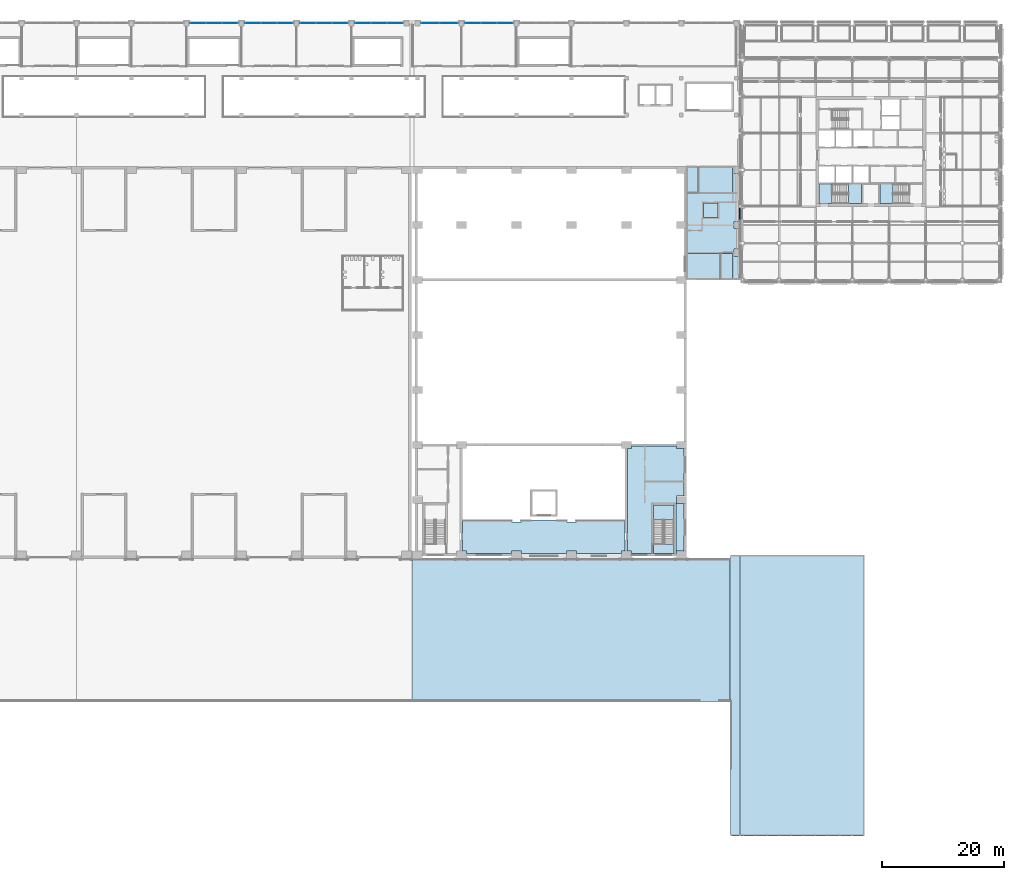
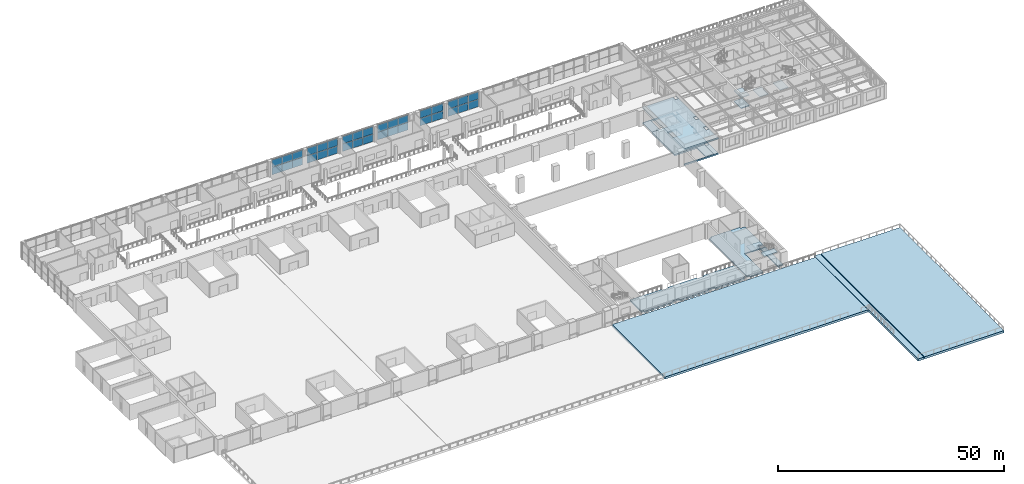
# One storey, part 12 of 39: 35 plates, 15 slabs, 9 elements without a shape of their own.
"""IFC4 building model written with IfcOpenShell, lengths in metres."""

from ifc_helpers import new_model, si_unit, direction, frame, origin, origin_2d, place, context, subcontext, project, spatial, polyline, rectangle, outline, extrude, material, layer, layer_set, type_object, element, aggregate, save


model = new_model("IFC4")

# Units and contexts
model_context = context("Model", 3, precision=1e-05, world=origin(), true_north=direction((0.0, 1.0)))
body_context = subcontext(model_context, "Body", "Model", "MODEL_VIEW")
ifc_project = project(units=[si_unit("LENGTHUNIT", "METRE"), si_unit("AREAUNIT", "SQUARE_METRE"), si_unit("VOLUMEUNIT", "CUBIC_METRE"), si_unit("PLANEANGLEUNIT", "RADIAN"), si_unit("MASSUNIT", "GRAM", prefix="KILO")], contexts=[model_context])

# Site, building, storey
site_placement = place(None, origin())
site = spatial("IfcSite", under=ifc_project, at=site_placement, CompositionType="ELEMENT")
building_placement = place(site_placement, origin())
building = spatial("IfcBuilding", under=site, at=building_placement, Name="Aravalli Gate Trade Fair Centre", CompositionType="ELEMENT")
storey_placement = place(building_placement, frame((0.0, 0.0, 15.0)))
storey = spatial("IfcBuildingStorey", under=building, at=storey_placement, Name="L03", CompositionType="ELEMENT", Elevation=15.0)

# Slab
ifc_material_1 = material(Name="Concrete M40", Category="concrete")
ifc_layer_1 = layer(ifc_material_1, 0.39990234375)
ifc_layer_set_1 = layer_set([ifc_layer_1], Name="Concrete M40")
slab_type_1 = type_object("IfcSlabType", Name="Congress balcony slab RC 400", PredefinedType="FLOOR", material=ifc_layer_set_1)
slab_1_placement = place(storey_placement, frame((0.0, 0.0, -0.39990234375)))
element("IfcSlab", 1, at=slab_1_placement, inside=storey, type_object=slab_type_1, Name="Scenery loading gallery floor", PredefinedType="FLOOR", context=body_context, shape_type="SweptSolid", body=[
    extrude(outline(polyline([(140.800048828125, 51.699951171875), (140.800048828125, 46.60009765625), (140.199951171875, 46.60009765625), (140.199951171875, 46.199951171875), (132.800048828125, 46.199951171875), (132.800048828125, 46.60009765625), (131.199951171875, 46.60009765625), (131.199951171875, 46.199951171875), (123.800048828125, 46.199951171875), (123.800048828125, 46.60009765625), (122.199951171875, 46.60009765625), (122.199951171875, 46.199951171875), (114.800048828125, 46.199951171875), (114.800048828125, 46.60009765625), (114.199951171875, 46.60009765625), (114.199951171875, 51.699951171875), (122.199951171875, 51.699951171875), (122.199951171875, 51.39990234375), (123.800048828125, 51.39990234375), (123.800048828125, 51.699951171875), (131.199951171875, 51.699951171875), (131.199951171875, 51.39990234375), (132.800048828125, 51.39990234375), (132.800048828125, 51.699951171875), (140.800048828125, 51.699951171875)])), origin(), (0.0, 0.0, 1.0), 0.39990234375),
])

# Stair, slabs
ifc_material_2 = material(Name="Concrete M45", Category="concrete")
stair_type_1 = type_object("IfcStairType", Name="Congress exit stair", PredefinedType="HALF_TURN_STAIR", material=ifc_material_2)
stair_1_placement = place(storey_placement, origin())
stair_1 = element("IfcStair", 2, at=stair_1_placement, inside=storey, type_object=stair_type_1, Name="Stage Stair East L03", PredefinedType="HALF_TURN_STAIR")
ifc_layer_2 = layer(ifc_material_2, 0.199951171875)
ifc_layer_set_2 = layer_set([ifc_layer_2], Name="Concrete M45")
slab_type_2 = type_object("IfcSlabType", Name="Congress exit stair landing RC 200", PredefinedType="LANDING", material=ifc_layer_set_2)
slab_2_placement = place(storey_placement, frame((0.0, 0.0, 1.89990234375)))
slab_2 = element("IfcSlab", 3, at=slab_2_placement, type_object=slab_type_2, Name="GX2 landing 1", PredefinedType="LANDING", context=body_context, shape_type="SweptSolid", body=[
    extrude(outline(polyline([(145.39990234375, 51.699951171875), (148.800048828125, 51.699951171875), (148.800048828125, 54.199951171875), (145.39990234375, 54.199951171875), (145.39990234375, 51.699951171875)])), origin(), (0.0, 0.0, 1.0), 0.2001953125),
])
slab_3_placement = place(storey_placement, frame((0.0, 0.0, 4.0)))
slab_3 = element("IfcSlab", 4, at=slab_3_placement, type_object=slab_type_2, Name="GX2 landing 2", PredefinedType="LANDING", context=body_context, shape_type="SweptSolid", body=[
    extrude(outline(polyline([(145.39990234375, 46.199951171875), (148.800048828125, 46.199951171875), (148.800048828125, 47.800048828125), (145.39990234375, 47.800048828125), (145.39990234375, 46.199951171875)])), origin(), (0.0, 0.0, 1.0), 0.199951171875),
])
aggregate(stair_1, [slab_2, slab_3])

# Slab
ifc_layer_3 = layer(ifc_material_1, 0.300048828125)
ifc_layer_set_3 = layer_set([ifc_layer_3], Name="Concrete M40")
slab_type_3 = type_object("IfcSlabType", Name="Congress floor slab RC 300", PredefinedType="FLOOR", material=ifc_layer_set_3)
slab_4_placement = place(storey_placement, frame((0.0, 0.0, -0.300048828125)))
element("IfcSlab", 5, at=slab_4_placement, inside=storey, type_object=slab_type_3, Name="Stage wing floor L03 E", PredefinedType="FLOOR", context=body_context, shape_type="SweptSolid", body=[
    extrude(outline(polyline([(149.199951171875, 46.60009765625), (149.199951171875, 46.199951171875), (149.10009765625, 46.199951171875), (149.10009765625, 54.5), (145.10009765625, 54.5), (145.10009765625, 46.199951171875), (141.800048828125, 46.199951171875), (141.800048828125, 46.60009765625), (141.199951171875, 46.60009765625), (141.199951171875, 63.39990234375), (141.800048828125, 63.39990234375), (141.800048828125, 63.800048828125), (149.199951171875, 63.800048828125), (149.199951171875, 63.39990234375), (150.39990234375, 63.39990234375), (150.39990234375, 55.60009765625), (149.199951171875, 55.60009765625), (149.199951171875, 54.39990234375), (150.39990234375, 54.39990234375), (150.39990234375, 46.60009765625), (149.199951171875, 46.60009765625)])), origin(), (0.0, 0.0, 1.0), 0.300048828125),
])

# Curtain wall, plates
ifc_material_3 = material(Name="Aluminium and glass", Category="aluminium")
curtain_wall_type = type_object("IfcCurtainWallType", Name="Curtain wall 3000 module, tall", PredefinedType="NOTDEFINED", material=ifc_material_3)
curtain_wall_1_placement = place(storey_placement, origin())
curtain_wall_1 = element("IfcCurtainWall", 6, at=curtain_wall_1_placement, inside=storey, type_object=curtain_wall_type, Name="Curtain wall north bay 8 L03", PredefinedType="NOTDEFINED")
ifc_material_4 = material(Name="Glass, double glazed", Category="glass")
ifc_layer_4 = layer(ifc_material_4, 0.028076171875)
ifc_layer_set_4 = layer_set([ifc_layer_4], Name="Glass, double glazed")
plate_type_1 = type_object("IfcPlateType", Name="Curtain wall panel, double glazed 28", PredefinedType="CURTAIN_PANEL", material=ifc_layer_set_4)
plate_1_placement = place(storey_placement, frame((70.881591796875, 133.044921875, 0.06005859375), z_axis=(0.0, 0.0, 1.0), x_axis=(1.0, 0.0, 0.0)))
plate_1 = element("IfcPlate", 7, at=plate_1_placement, type_object=plate_type_1, Name="CW3 panel 1.1", PredefinedType="CURTAIN_PANEL", context=body_context, shape_type="SweptSolid", body=[
    extrude(rectangle(XDim=2.543212890625, YDim=0.028076171875, at=origin_2d()), origin(), (0.0, 0.0, 1.0), 2.010009765625),
])
plate_2_placement = place(storey_placement, frame((70.881591796875, 133.044921875, 2.1298828125), z_axis=(0.0, 0.0, 1.0), x_axis=(1.0, 0.0, 0.0)))
plate_2 = element("IfcPlate", 8, at=plate_2_placement, type_object=plate_type_1, Name="CW3 panel 1.2", PredefinedType="CURTAIN_PANEL", context=body_context, shape_type="SweptSolid", body=[
    extrude(rectangle(XDim=2.543212890625, YDim=0.028076171875, at=origin_2d()), origin(), (0.0, 0.0, 1.0), 2.010009765625),
])
plate_3_placement = place(storey_placement, frame((73.5, 133.044921875, 0.06005859375), z_axis=(0.0, 0.0, 1.0), x_axis=(1.0, 0.0, 0.0)))
plate_3 = element("IfcPlate", 9, at=plate_3_placement, type_object=plate_type_1, Name="CW3 panel 2.1", PredefinedType="CURTAIN_PANEL", context=body_context, shape_type="SweptSolid", body=[
    extrude(rectangle(XDim=2.5732421875, YDim=0.028076171875, at=origin_2d()), origin(), (0.0, 0.0, 1.0), 2.010009765625),
])
plate_4_placement = place(storey_placement, frame((73.5, 133.044921875, 2.1298828125), z_axis=(0.0, 0.0, 1.0), x_axis=(1.0, 0.0, 0.0)))
plate_4 = element("IfcPlate", 10, at=plate_4_placement, type_object=plate_type_1, Name="CW3 panel 2.2", PredefinedType="CURTAIN_PANEL", context=body_context, shape_type="SweptSolid", body=[
    extrude(rectangle(XDim=2.5732421875, YDim=0.028076171875, at=origin_2d()), origin(), (0.0, 0.0, 1.0), 2.010009765625),
])
plate_5_placement = place(storey_placement, frame((76.118408203125, 133.044921875, 0.06005859375), z_axis=(0.0, 0.0, 1.0), x_axis=(1.0, 0.0, 0.0)))
plate_5 = element("IfcPlate", 11, at=plate_5_placement, type_object=plate_type_1, Name="CW3 panel 3.1", PredefinedType="CURTAIN_PANEL", context=body_context, shape_type="SweptSolid", body=[
    extrude(rectangle(XDim=2.543212890625, YDim=0.028076171875, at=origin_2d()), origin(), (0.0, 0.0, 1.0), 2.010009765625),
])
plate_6_placement = place(storey_placement, frame((76.118408203125, 133.044921875, 2.1298828125), z_axis=(0.0, 0.0, 1.0), x_axis=(1.0, 0.0, 0.0)))
plate_6 = element("IfcPlate", 12, at=plate_6_placement, type_object=plate_type_1, Name="CW3 panel 3.2", PredefinedType="CURTAIN_PANEL", context=body_context, shape_type="SweptSolid", body=[
    extrude(rectangle(XDim=2.543212890625, YDim=0.028076171875, at=origin_2d()), origin(), (0.0, 0.0, 1.0), 2.010009765625),
])
aggregate(curtain_wall_1, [plate_1, plate_2, plate_3, plate_4, plate_5, plate_6])

curtain_wall_2_placement = place(storey_placement, origin())
curtain_wall_2 = element("IfcCurtainWall", 13, at=curtain_wall_2_placement, inside=storey, type_object=curtain_wall_type, Name="Curtain wall north bay 9 L03", PredefinedType="NOTDEFINED")
plate_7_placement = place(storey_placement, frame((79.881591796875, 133.044921875, 0.06005859375), z_axis=(0.0, 0.0, 1.0), x_axis=(1.0, 0.0, 0.0)))
plate_7 = element("IfcPlate", 14, at=plate_7_placement, type_object=plate_type_1, Name="CW3 panel 1.1", PredefinedType="CURTAIN_PANEL", context=body_context, shape_type="SweptSolid", body=[
    extrude(rectangle(XDim=2.543212890625, YDim=0.028076171875, at=origin_2d()), origin(), (0.0, 0.0, 1.0), 2.010009765625),
])
plate_8_placement = place(storey_placement, frame((79.881591796875, 133.044921875, 2.1298828125), z_axis=(0.0, 0.0, 1.0), x_axis=(1.0, 0.0, 0.0)))
plate_8 = element("IfcPlate", 15, at=plate_8_placement, type_object=plate_type_1, Name="CW3 panel 1.2", PredefinedType="CURTAIN_PANEL", context=body_context, shape_type="SweptSolid", body=[
    extrude(rectangle(XDim=2.543212890625, YDim=0.028076171875, at=origin_2d()), origin(), (0.0, 0.0, 1.0), 2.010009765625),
])
plate_9_placement = place(storey_placement, frame((82.5, 133.044921875, 0.06005859375), z_axis=(0.0, 0.0, 1.0), x_axis=(1.0, 0.0, 0.0)))
plate_9 = element("IfcPlate", 16, at=plate_9_placement, type_object=plate_type_1, Name="CW3 panel 2.1", PredefinedType="CURTAIN_PANEL", context=body_context, shape_type="SweptSolid", body=[
    extrude(rectangle(XDim=2.5732421875, YDim=0.028076171875, at=origin_2d()), origin(), (0.0, 0.0, 1.0), 2.010009765625),
])
plate_10_placement = place(storey_placement, frame((82.5, 133.044921875, 2.1298828125), z_axis=(0.0, 0.0, 1.0), x_axis=(1.0, 0.0, 0.0)))
plate_10 = element("IfcPlate", 17, at=plate_10_placement, type_object=plate_type_1, Name="CW3 panel 2.2", PredefinedType="CURTAIN_PANEL", context=body_context, shape_type="SweptSolid", body=[
    extrude(rectangle(XDim=2.5732421875, YDim=0.028076171875, at=origin_2d()), origin(), (0.0, 0.0, 1.0), 2.010009765625),
])
plate_11_placement = place(storey_placement, frame((85.118408203125, 133.044921875, 0.06005859375), z_axis=(0.0, 0.0, 1.0), x_axis=(1.0, 0.0, 0.0)))
plate_11 = element("IfcPlate", 18, at=plate_11_placement, type_object=plate_type_1, Name="CW3 panel 3.1", PredefinedType="CURTAIN_PANEL", context=body_context, shape_type="SweptSolid", body=[
    extrude(rectangle(XDim=2.543212890625, YDim=0.028076171875, at=origin_2d()), origin(), (0.0, 0.0, 1.0), 2.010009765625),
])
plate_12_placement = place(storey_placement, frame((85.118408203125, 133.044921875, 2.1298828125), z_axis=(0.0, 0.0, 1.0), x_axis=(1.0, 0.0, 0.0)))
plate_12 = element("IfcPlate", 19, at=plate_12_placement, type_object=plate_type_1, Name="CW3 panel 3.2", PredefinedType="CURTAIN_PANEL", context=body_context, shape_type="SweptSolid", body=[
    extrude(rectangle(XDim=2.543212890625, YDim=0.028076171875, at=origin_2d()), origin(), (0.0, 0.0, 1.0), 2.010009765625),
])
aggregate(curtain_wall_2, [plate_7, plate_8, plate_9, plate_10, plate_11, plate_12])

curtain_wall_3_placement = place(storey_placement, origin())
curtain_wall_3 = element("IfcCurtainWall", 20, at=curtain_wall_3_placement, inside=storey, type_object=curtain_wall_type, Name="Curtain wall north bay 10 L03", PredefinedType="NOTDEFINED")
plate_13_placement = place(storey_placement, frame((88.881591796875, 133.044921875, 0.06005859375), z_axis=(0.0, 0.0, 1.0), x_axis=(1.0, 0.0, 0.0)))
plate_13 = element("IfcPlate", 21, at=plate_13_placement, type_object=plate_type_1, Name="CW3 panel 1.1", PredefinedType="CURTAIN_PANEL", context=body_context, shape_type="SweptSolid", body=[
    extrude(rectangle(XDim=2.543212890625, YDim=0.028076171875, at=origin_2d()), origin(), (0.0, 0.0, 1.0), 2.010009765625),
])
plate_14_placement = place(storey_placement, frame((88.881591796875, 133.044921875, 2.1298828125), z_axis=(0.0, 0.0, 1.0), x_axis=(1.0, 0.0, 0.0)))
plate_14 = element("IfcPlate", 22, at=plate_14_placement, type_object=plate_type_1, Name="CW3 panel 1.2", PredefinedType="CURTAIN_PANEL", context=body_context, shape_type="SweptSolid", body=[
    extrude(rectangle(XDim=2.543212890625, YDim=0.028076171875, at=origin_2d()), origin(), (0.0, 0.0, 1.0), 2.010009765625),
])
plate_15_placement = place(storey_placement, frame((91.5, 133.044921875, 0.06005859375), z_axis=(0.0, 0.0, 1.0), x_axis=(1.0, 0.0, 0.0)))
plate_15 = element("IfcPlate", 23, at=plate_15_placement, type_object=plate_type_1, Name="CW3 panel 2.1", PredefinedType="CURTAIN_PANEL", context=body_context, shape_type="SweptSolid", body=[
    extrude(rectangle(XDim=2.5732421875, YDim=0.028076171875, at=origin_2d()), origin(), (0.0, 0.0, 1.0), 2.010009765625),
])
plate_16_placement = place(storey_placement, frame((91.5, 133.044921875, 2.1298828125), z_axis=(0.0, 0.0, 1.0), x_axis=(1.0, 0.0, 0.0)))
plate_16 = element("IfcPlate", 24, at=plate_16_placement, type_object=plate_type_1, Name="CW3 panel 2.2", PredefinedType="CURTAIN_PANEL", context=body_context, shape_type="SweptSolid", body=[
    extrude(rectangle(XDim=2.5732421875, YDim=0.028076171875, at=origin_2d()), origin(), (0.0, 0.0, 1.0), 2.010009765625),
])
plate_17_placement = place(storey_placement, frame((94.118408203125, 133.044921875, 0.06005859375), z_axis=(0.0, 0.0, 1.0), x_axis=(1.0, 0.0, 0.0)))
plate_17 = element("IfcPlate", 25, at=plate_17_placement, type_object=plate_type_1, Name="CW3 panel 3.1", PredefinedType="CURTAIN_PANEL", context=body_context, shape_type="SweptSolid", body=[
    extrude(rectangle(XDim=2.543212890625, YDim=0.028076171875, at=origin_2d()), origin(), (0.0, 0.0, 1.0), 2.010009765625),
])
plate_18_placement = place(storey_placement, frame((94.118408203125, 133.044921875, 2.1298828125), z_axis=(0.0, 0.0, 1.0), x_axis=(1.0, 0.0, 0.0)))
plate_18 = element("IfcPlate", 26, at=plate_18_placement, type_object=plate_type_1, Name="CW3 panel 3.2", PredefinedType="CURTAIN_PANEL", context=body_context, shape_type="SweptSolid", body=[
    extrude(rectangle(XDim=2.543212890625, YDim=0.028076171875, at=origin_2d()), origin(), (0.0, 0.0, 1.0), 2.010009765625),
])
aggregate(curtain_wall_3, [plate_13, plate_14, plate_15, plate_16, plate_17, plate_18])

curtain_wall_4_placement = place(storey_placement, origin())
curtain_wall_4 = element("IfcCurtainWall", 27, at=curtain_wall_4_placement, inside=storey, type_object=curtain_wall_type, Name="Curtain wall north bay 11 L03", PredefinedType="NOTDEFINED")
plate_19_placement = place(storey_placement, frame((97.881591796875, 133.044921875, 0.06005859375), z_axis=(0.0, 0.0, 1.0), x_axis=(1.0, 0.0, 0.0)))
plate_19 = element("IfcPlate", 28, at=plate_19_placement, type_object=plate_type_1, Name="CW3 panel 1.1", PredefinedType="CURTAIN_PANEL", context=body_context, shape_type="SweptSolid", body=[
    extrude(rectangle(XDim=2.543212890625, YDim=0.028076171875, at=origin_2d()), origin(), (0.0, 0.0, 1.0), 2.010009765625),
])
plate_20_placement = place(storey_placement, frame((97.881591796875, 133.044921875, 2.1298828125), z_axis=(0.0, 0.0, 1.0), x_axis=(1.0, 0.0, 0.0)))
plate_20 = element("IfcPlate", 29, at=plate_20_placement, type_object=plate_type_1, Name="CW3 panel 1.2", PredefinedType="CURTAIN_PANEL", context=body_context, shape_type="SweptSolid", body=[
    extrude(rectangle(XDim=2.543212890625, YDim=0.028076171875, at=origin_2d()), origin(), (0.0, 0.0, 1.0), 2.010009765625),
])
plate_21_placement = place(storey_placement, frame((100.5, 133.044921875, 0.06005859375), z_axis=(0.0, 0.0, 1.0), x_axis=(1.0, 0.0, 0.0)))
plate_21 = element("IfcPlate", 30, at=plate_21_placement, type_object=plate_type_1, Name="CW3 panel 2.1", PredefinedType="CURTAIN_PANEL", context=body_context, shape_type="SweptSolid", body=[
    extrude(rectangle(XDim=2.5732421875, YDim=0.028076171875, at=origin_2d()), origin(), (0.0, 0.0, 1.0), 2.010009765625),
])
plate_22_placement = place(storey_placement, frame((100.5, 133.044921875, 2.1298828125), z_axis=(0.0, 0.0, 1.0), x_axis=(1.0, 0.0, 0.0)))
plate_22 = element("IfcPlate", 31, at=plate_22_placement, type_object=plate_type_1, Name="CW3 panel 2.2", PredefinedType="CURTAIN_PANEL", context=body_context, shape_type="SweptSolid", body=[
    extrude(rectangle(XDim=2.5732421875, YDim=0.028076171875, at=origin_2d()), origin(), (0.0, 0.0, 1.0), 2.010009765625),
])
plate_23_placement = place(storey_placement, frame((103.118408203125, 133.044921875, 0.06005859375), z_axis=(0.0, 0.0, 1.0), x_axis=(1.0, 0.0, 0.0)))
plate_23 = element("IfcPlate", 32, at=plate_23_placement, type_object=plate_type_1, Name="CW3 panel 3.1", PredefinedType="CURTAIN_PANEL", context=body_context, shape_type="SweptSolid", body=[
    extrude(rectangle(XDim=2.543212890625, YDim=0.028076171875, at=origin_2d()), origin(), (0.0, 0.0, 1.0), 2.010009765625),
])
plate_24_placement = place(storey_placement, frame((103.118408203125, 133.044921875, 2.1298828125), z_axis=(0.0, 0.0, 1.0), x_axis=(1.0, 0.0, 0.0)))
plate_24 = element("IfcPlate", 33, at=plate_24_placement, type_object=plate_type_1, Name="CW3 panel 3.2", PredefinedType="CURTAIN_PANEL", context=body_context, shape_type="SweptSolid", body=[
    extrude(rectangle(XDim=2.543212890625, YDim=0.028076171875, at=origin_2d()), origin(), (0.0, 0.0, 1.0), 2.010009765625),
])
aggregate(curtain_wall_4, [plate_19, plate_20, plate_21, plate_22, plate_23, plate_24])

curtain_wall_5_placement = place(storey_placement, origin())
curtain_wall_5 = element("IfcCurtainWall", 34, at=curtain_wall_5_placement, inside=storey, type_object=curtain_wall_type, Name="Curtain wall north bay 13 L03", PredefinedType="NOTDEFINED")
plate_25_placement = place(storey_placement, frame((108.889892578125, 133.044921875, 0.06005859375), z_axis=(0.0, 0.0, 1.0), x_axis=(1.0, 0.0, 0.0)))
plate_25 = element("IfcPlate", 35, at=plate_25_placement, type_object=plate_type_1, Name="CW3 panel 1.1", PredefinedType="CURTAIN_PANEL", context=body_context, shape_type="SweptSolid", body=[
    extrude(rectangle(XDim=2.9599609375, YDim=0.028076171875, at=origin_2d()), origin(), (0.0, 0.0, 1.0), 2.010009765625),
])
plate_26_placement = place(storey_placement, frame((108.889892578125, 133.044921875, 2.1298828125), z_axis=(0.0, 0.0, 1.0), x_axis=(1.0, 0.0, 0.0)))
plate_26 = element("IfcPlate", 36, at=plate_26_placement, type_object=plate_type_1, Name="CW3 panel 1.2", PredefinedType="CURTAIN_PANEL", context=body_context, shape_type="SweptSolid", body=[
    extrude(rectangle(XDim=2.9599609375, YDim=0.028076171875, at=origin_2d()), origin(), (0.0, 0.0, 1.0), 2.010009765625),
])
plate_27_placement = place(storey_placement, frame((111.909912109375, 133.044921875, 0.06005859375), z_axis=(0.0, 0.0, 1.0), x_axis=(1.0, 0.0, 0.0)))
plate_27 = element("IfcPlate", 37, at=plate_27_placement, type_object=plate_type_1, Name="CW3 panel 2.1", PredefinedType="CURTAIN_PANEL", context=body_context, shape_type="SweptSolid", body=[
    extrude(rectangle(XDim=2.9599609375, YDim=0.028076171875, at=origin_2d()), origin(), (0.0, 0.0, 1.0), 2.010009765625),
])
plate_28_placement = place(storey_placement, frame((111.909912109375, 133.044921875, 2.1298828125), z_axis=(0.0, 0.0, 1.0), x_axis=(1.0, 0.0, 0.0)))
plate_28 = element("IfcPlate", 38, at=plate_28_placement, type_object=plate_type_1, Name="CW3 panel 2.2", PredefinedType="CURTAIN_PANEL", context=body_context, shape_type="SweptSolid", body=[
    extrude(rectangle(XDim=2.9599609375, YDim=0.028076171875, at=origin_2d()), origin(), (0.0, 0.0, 1.0), 2.010009765625),
])
aggregate(curtain_wall_5, [plate_25, plate_26, plate_27, plate_28])

curtain_wall_6_placement = place(storey_placement, origin())
curtain_wall_6 = element("IfcCurtainWall", 39, at=curtain_wall_6_placement, inside=storey, type_object=curtain_wall_type, Name="Curtain wall north bay 14 L03", PredefinedType="NOTDEFINED")
plate_29_placement = place(storey_placement, frame((115.881591796875, 133.044921875, 0.06005859375), z_axis=(0.0, 0.0, 1.0), x_axis=(1.0, 0.0, 0.0)))
plate_29 = element("IfcPlate", 40, at=plate_29_placement, type_object=plate_type_1, Name="CW3 panel 1.1", PredefinedType="CURTAIN_PANEL", context=body_context, shape_type="SweptSolid", body=[
    extrude(rectangle(XDim=2.543212890625, YDim=0.028076171875, at=origin_2d()), origin(), (0.0, 0.0, 1.0), 2.010009765625),
])
plate_30_placement = place(storey_placement, frame((115.881591796875, 133.044921875, 2.1298828125), z_axis=(0.0, 0.0, 1.0), x_axis=(1.0, 0.0, 0.0)))
plate_30 = element("IfcPlate", 41, at=plate_30_placement, type_object=plate_type_1, Name="CW3 panel 1.2", PredefinedType="CURTAIN_PANEL", context=body_context, shape_type="SweptSolid", body=[
    extrude(rectangle(XDim=2.543212890625, YDim=0.028076171875, at=origin_2d()), origin(), (0.0, 0.0, 1.0), 2.010009765625),
])
plate_31_placement = place(storey_placement, frame((118.5, 133.044921875, 0.06005859375), z_axis=(0.0, 0.0, 1.0), x_axis=(1.0, 0.0, 0.0)))
plate_31 = element("IfcPlate", 42, at=plate_31_placement, type_object=plate_type_1, Name="CW3 panel 2.1", PredefinedType="CURTAIN_PANEL", context=body_context, shape_type="SweptSolid", body=[
    extrude(rectangle(XDim=2.5732421875, YDim=0.028076171875, at=origin_2d()), origin(), (0.0, 0.0, 1.0), 2.010009765625),
])
plate_32_placement = place(storey_placement, frame((118.5, 133.044921875, 2.1298828125), z_axis=(0.0, 0.0, 1.0), x_axis=(1.0, 0.0, 0.0)))
plate_32 = element("IfcPlate", 43, at=plate_32_placement, type_object=plate_type_1, Name="CW3 panel 2.2", PredefinedType="CURTAIN_PANEL", context=body_context, shape_type="SweptSolid", body=[
    extrude(rectangle(XDim=2.5732421875, YDim=0.028076171875, at=origin_2d()), origin(), (0.0, 0.0, 1.0), 2.010009765625),
])
plate_33_placement = place(storey_placement, frame((121.118408203125, 133.044921875, 0.06005859375), z_axis=(0.0, 0.0, 1.0), x_axis=(1.0, 0.0, 0.0)))
plate_33 = element("IfcPlate", 44, at=plate_33_placement, type_object=plate_type_1, Name="CW3 panel 3.1", PredefinedType="CURTAIN_PANEL", context=body_context, shape_type="SweptSolid", body=[
    extrude(rectangle(XDim=2.543212890625, YDim=0.028076171875, at=origin_2d()), origin(), (0.0, 0.0, 1.0), 2.010009765625),
])
plate_34_placement = place(storey_placement, frame((121.118408203125, 133.044921875, 2.1298828125), z_axis=(0.0, 0.0, 1.0), x_axis=(1.0, 0.0, 0.0)))
plate_34 = element("IfcPlate", 45, at=plate_34_placement, type_object=plate_type_1, Name="CW3 panel 3.2", PredefinedType="CURTAIN_PANEL", context=body_context, shape_type="SweptSolid", body=[
    extrude(rectangle(XDim=2.543212890625, YDim=0.028076171875, at=origin_2d()), origin(), (0.0, 0.0, 1.0), 2.010009765625),
])
aggregate(curtain_wall_6, [plate_29, plate_30, plate_31, plate_32, plate_33, plate_34])

# Slabs
ifc_layer_5 = layer(ifc_material_2, 0.60009765625)
ifc_layer_set_5 = layer_set([ifc_layer_5], Name="Concrete M45")
slab_type_4 = type_object("IfcSlabType", Name="East landing slab RC 600", PredefinedType="LANDING", material=ifc_layer_set_5)
slab_5_placement = place(storey_placement, frame((0.0, 0.0, -0.60009765625)))
element("IfcSlab", 46, at=slab_5_placement, inside=storey, type_object=slab_type_4, Name="East landing slab, part 1 of 2", PredefinedType="LANDING", context=body_context, shape_type="SweptSolid", body=[
    extrude(outline(polyline([(158.02001953125, 0.0), (159.5, 0.0), (159.5, 46.0), (158.02001953125, 46.0), (158.02001953125, 0.0)])), origin(), (0.0, 0.0, 1.0), 0.60009765625),
])
slab_6_placement = place(storey_placement, frame((0.0, 0.0, -0.60009765625)))
element("IfcSlab", 47, at=slab_6_placement, inside=storey, type_object=slab_type_4, Name="East landing slab, part 2 of 2", PredefinedType="LANDING", context=body_context, shape_type="SweptSolid", body=[
    extrude(outline(polyline([(180.0, 46.0), (159.699951171875, 46.0), (159.699951171875, 0.0), (180.0, 0.0), (180.0, 46.0)])), origin(), (0.0, 0.0, 1.0), 0.60009765625),
])
ifc_material_5 = material(Name="Concrete M50", Category="concrete")
ifc_layer_6 = layer(ifc_material_5, 0.409912109375)
ifc_layer_set_6 = layer_set([ifc_layer_6], Name="Concrete M50")
slab_type_5 = type_object("IfcSlabType", Name="Link floor slab 410", PredefinedType="FLOOR", material=ifc_layer_set_6)
slab_7_placement = place(storey_placement, frame((0.0, 0.0, -0.409912109375)))
element("IfcSlab", 48, at=slab_7_placement, inside=storey, type_object=slab_type_5, Name="Link floor slab L03", PredefinedType="FLOOR", context=body_context, shape_type="SweptSolid", body=[
    extrude(outline(polyline([(159.5, 109.60009765625), (159.5, 91.0), (150.800048828125, 91.0), (150.800048828125, 91.25), (158.39990234375, 91.25), (158.39990234375, 95.35009765625), (150.800048828125, 95.35009765625), (150.800048828125, 105.35009765625), (158.39990234375, 105.35009765625), (158.39990234375, 109.449951171875), (150.800048828125, 109.449951171875), (150.800048828125, 109.60009765625), (158.60009765625, 109.60009765625), (158.60009765625, 108.39990234375), (159.39990234375, 108.39990234375), (159.39990234375, 109.60009765625), (159.5, 109.60009765625)]), holes=[polyline([(158.60009765625, 96.050048828125), (158.60009765625, 94.85009765625), (159.39990234375, 94.85009765625), (159.39990234375, 96.050048828125), (158.60009765625, 96.050048828125)]), polyline([(158.60009765625, 100.60009765625), (158.60009765625, 99.39990234375), (159.39990234375, 99.39990234375), (159.39990234375, 100.60009765625), (158.60009765625, 100.60009765625)]), polyline([(153.60009765625, 101.199951171875), (156.0, 101.199951171875), (156.0, 103.60009765625), (153.60009765625, 103.60009765625), (153.60009765625, 101.199951171875)])]), origin(), (0.0, 0.0, 1.0), 0.409912109375),
])
ifc_layer_7 = layer(ifc_material_5, 0.409912109375)
ifc_layer_set_7 = layer_set([ifc_layer_7], Name="Concrete M50")
slab_type_6 = type_object("IfcSlabType", Name="Link roof slab 410", PredefinedType="ROOF", material=ifc_layer_set_7)
slab_8_placement = place(storey_placement, frame((0.0, 0.0, 3.7900390625)))
element("IfcSlab", 49, at=slab_8_placement, inside=storey, type_object=slab_type_6, Name="Link roof slab L04", PredefinedType="ROOF", context=body_context, shape_type="SweptSolid", body=[
    extrude(outline(polyline([(159.5, 109.60009765625), (159.5, 91.0), (150.800048828125, 91.0), (150.800048828125, 109.60009765625), (158.60009765625, 109.60009765625), (158.60009765625, 108.39990234375), (159.39990234375, 108.39990234375), (159.39990234375, 109.60009765625), (159.5, 109.60009765625)]), holes=[polyline([(159.39990234375, 94.85009765625), (159.39990234375, 96.050048828125), (158.60009765625, 96.050048828125), (158.60009765625, 94.85009765625), (159.39990234375, 94.85009765625)]), polyline([(158.60009765625, 99.39990234375), (159.39990234375, 99.39990234375), (159.39990234375, 100.60009765625), (158.60009765625, 100.60009765625), (158.60009765625, 99.39990234375)])]), origin(), (0.0, 0.0, 1.0), 0.409912109375),
])
ifc_layer_8 = layer(ifc_material_2, 0.60009765625)
ifc_layer_set_8 = layer_set([ifc_layer_8], Name="Concrete M45")
slab_type_7 = type_object("IfcSlabType", Name="Loading deck slab RC 600", PredefinedType="FLOOR", material=ifc_layer_set_8)
slab_9_placement = place(storey_placement, frame((0.0, 0.0, -0.60009765625)))
element("IfcSlab", 50, at=slab_9_placement, inside=storey, type_object=slab_type_7, Name="Loading deck slab 3", PredefinedType="FLOOR", context=body_context, shape_type="SweptSolid", body=[
    extrude(outline(polyline([(106.0, 22.0), (157.97998046875, 22.0), (157.97998046875, 45.39990234375), (106.0, 45.39990234375), (106.0, 22.0)])), origin(), (0.0, 0.0, 1.0), 0.60009765625),
])

# Stair, slabs
ifc_material_6 = material(Name="Concrete M30", Category="concrete")
stair_type_2 = type_object("IfcStairType", Name="Wing core stair", PredefinedType="HALF_TURN_STAIR", material=ifc_material_6)
stair_2_placement = place(storey_placement, origin())
stair_2 = element("IfcStair", 51, at=stair_2_placement, inside=storey, type_object=stair_type_2, Name="Stair S2 L03", PredefinedType="HALF_TURN_STAIR")
ifc_layer_9 = layer(ifc_material_6, 0.199951171875)
ifc_layer_set_9 = layer_set([ifc_layer_9], Name="Concrete M30")
slab_type_8 = type_object("IfcSlabType", Name="Wing core stair landing 200", PredefinedType="LANDING", material=ifc_layer_set_9)
slab_10_placement = place(storey_placement, frame((0.0, 0.0, -0.199951171875)))
slab_10 = element("IfcSlab", 52, at=slab_10_placement, type_object=slab_type_8, Name="TST1 landing 1", PredefinedType="LANDING", context=body_context, shape_type="SweptSolid", body=[
    extrude(outline(polyline([(172.5, 103.5), (174.64990234375, 103.5), (174.64990234375, 106.699951171875), (172.5, 106.699951171875), (172.5, 103.5)])), origin(), (0.0, 0.0, 1.0), 0.199951171875),
])
slab_11_placement = place(storey_placement, frame((0.0, 0.0, 1.248291015625)))
slab_11 = element("IfcSlab", 53, at=slab_11_placement, type_object=slab_type_8, Name="TST1 landing 2", PredefinedType="LANDING", context=body_context, shape_type="SweptSolid", body=[
    extrude(outline(polyline([(177.35009765625, 103.5), (179.5, 103.5), (179.5, 106.699951171875), (177.35009765625, 106.699951171875), (177.35009765625, 103.5)])), origin(), (0.0, 0.0, 1.0), 0.199951171875),
])
slab_12_placement = place(storey_placement, frame((0.0, 0.0, 2.696533203125)))
slab_12 = element("IfcSlab", 54, at=slab_12_placement, type_object=slab_type_8, Name="TST1 landing 3", PredefinedType="LANDING", context=body_context, shape_type="SweptSolid", body=[
    extrude(outline(polyline([(172.5, 103.5), (174.64990234375, 103.5), (174.64990234375, 106.699951171875), (172.5, 106.699951171875), (172.5, 103.5)])), origin(), (0.0, 0.0, 1.0), 0.199951171875),
])
aggregate(stair_2, [slab_10, slab_11, slab_12])

# Stair, slab
stair_3_placement = place(storey_placement, origin())
stair_3 = element("IfcStair", 55, at=stair_3_placement, inside=storey, type_object=stair_type_2, Name="Stair S1 L03", PredefinedType="HALF_TURN_STAIR")
slab_13_placement = place(storey_placement, frame((0.0, 0.0, 1.248291015625)))
slab_13 = element("IfcSlab", 56, at=slab_13_placement, type_object=slab_type_8, Name="TST1 landing 2", PredefinedType="LANDING", context=body_context, shape_type="SweptSolid", body=[
    extrude(outline(polyline([(182.5, 103.5), (184.64990234375, 103.5), (184.64990234375, 106.699951171875), (182.5, 106.699951171875), (182.5, 103.5)])), origin(), (0.0, 0.0, 1.0), 0.199951171875),
])
aggregate(stair_3, [slab_13])

# Slabs
slab_14_placement = place(storey_placement, frame((0.0, 0.0, -0.199951171875)))
element("IfcSlab", 57, at=slab_14_placement, inside=storey, type_object=slab_type_8, Name="Link stair landing LA L03", PredefinedType="LANDING", context=body_context, shape_type="SweptSolid", body=[
    extrude(outline(polyline([(156.39697265625, 91.25), (158.39990234375, 91.25), (158.39990234375, 95.35009765625), (156.39697265625, 95.35009765625), (156.39697265625, 91.25)])), origin(), (0.0, 0.0, 1.0), 0.199951171875),
])
slab_15_placement = place(storey_placement, frame((0.0, 0.0, -0.199951171875)))
element("IfcSlab", 58, at=slab_15_placement, inside=storey, type_object=slab_type_8, Name="Link stair landing LB L03", PredefinedType="LANDING", context=body_context, shape_type="SweptSolid", body=[
    extrude(outline(polyline([(150.800048828125, 105.35009765625), (152.802978515625, 105.35009765625), (152.802978515625, 109.449951171875), (150.800048828125, 109.449951171875), (150.800048828125, 105.35009765625)])), origin(), (0.0, 0.0, 1.0), 0.199951171875),
])

# Plate
ifc_material_7 = material(Name="Steel E350", Category="steel")
ifc_layer_10 = layer(ifc_material_7, 0.199951171875)
ifc_layer_set_10 = layer_set([ifc_layer_10], Name="Steel E350")
plate_type_2 = type_object("IfcPlateType", Name="Wing joint cover plate 300", PredefinedType="SHEET", material=ifc_layer_set_10)
plate_35_placement = place(storey_placement, frame((0.0, 0.0, -0.199951171875)))
element("IfcPlate", 59, at=plate_35_placement, inside=storey, type_object=plate_type_2, Name="Joint cover plate T-L03-181", PredefinedType="SHEET", context=body_context, shape_type="SweptSolid", body=[
    extrude(outline(polyline([(159.5, 100.89990234375), (159.695068359375, 100.89990234375), (159.695068359375, 102.699951171875), (159.5, 102.699951171875), (159.5, 100.89990234375)])), origin(), (0.0, 0.0, 1.0), 0.199951171875),
])

save(model, "model.ifc")
